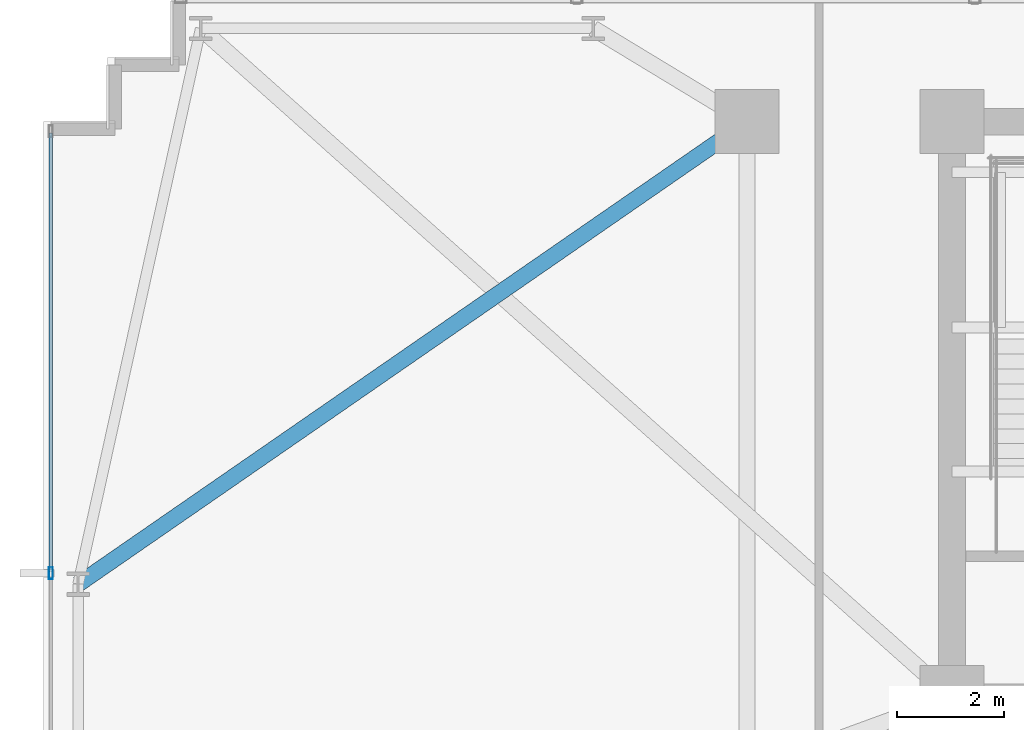
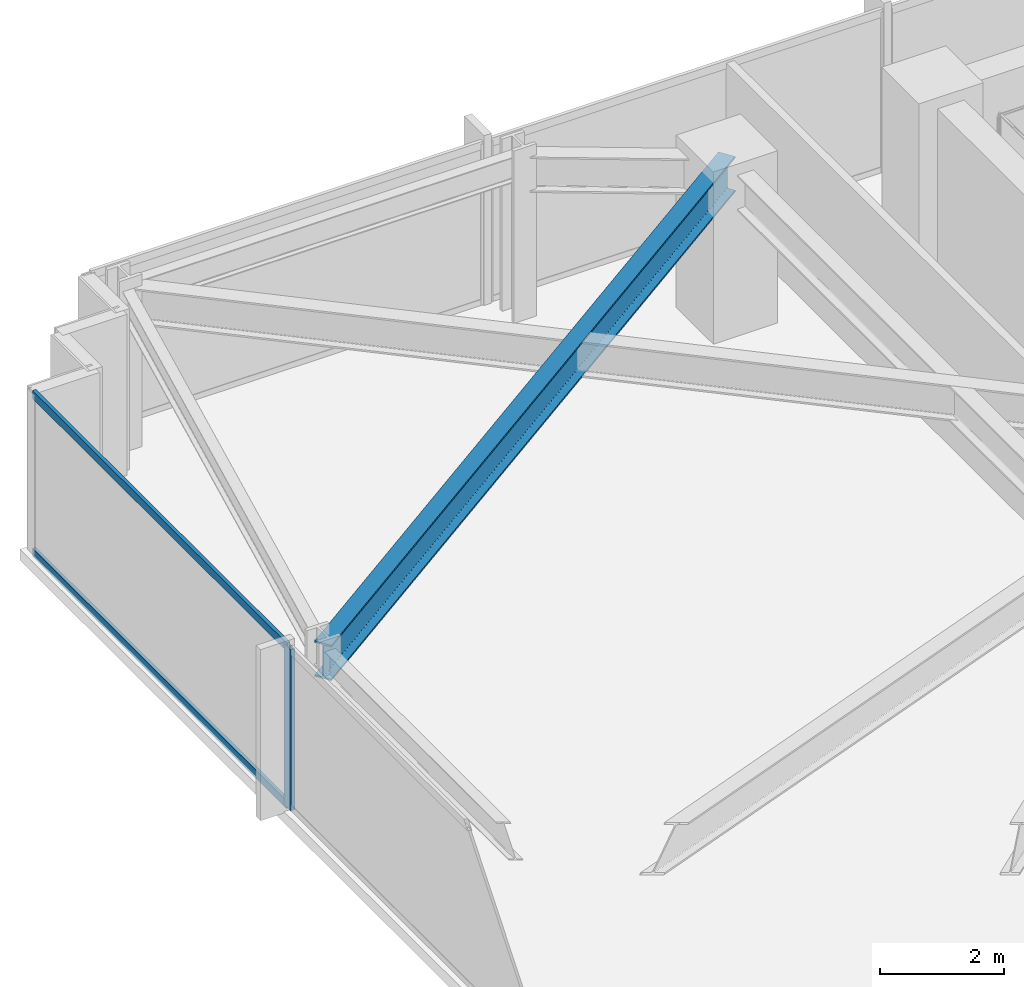
# One storey, part 9 of 33: 3 members, 1 beam, 1 element without a shape of its own.
"""IFC4 building model written with IfcOpenShell, lengths in metres."""

import ifcopenshell
import ifcopenshell.guid

model = None  # the IFC model being written
_history = None  # IfcOwnerHistory: only IFC2X3 demands one
_inside = {}  # id of a spatial element -> (the spatial element, [elements in it])
_under = {}  # id of a project, library or spatial element -> (it, [spatial elements below it])
_declared = {}  # id of a project -> (the project, [libraries it declares])
_typed = {}  # id of a type object -> (the type object, [elements of that type])
_made_of = {}  # id of a material, layer set ... -> (it, [elements and type objects made of it])


def new_model(schema):
    """Start an empty IFC model of exactly this schema.

    Asked for "IFC4X3", IfcOpenShell would pick the latest addendum, in which some entities
    have other attributes; the version numbers below select the first issue.
    IFC2X3 requires an IfcOwnerHistory on every rooted entity: one is made here for all.
    """
    global model, _history
    if schema == "IFC4X3":
        model = ifcopenshell.file(schema_version=(4, 3, 0, 0))
    else:
        model = ifcopenshell.file(schema=schema)
    _inside.clear()
    _under.clear()
    _declared.clear()
    _typed.clear()
    _made_of.clear()
    _history = None
    if model.schema == "IFC2X3":
        org = make("IfcOrganization", Name="unknown")
        user = make(
            "IfcPersonAndOrganization",
            ThePerson=make("IfcPerson", FamilyName="unknown"),
            TheOrganization=org,
        )
        app = make(
            "IfcApplication",
            ApplicationDeveloper=org,
            Version="unknown",
            ApplicationFullName="unknown",
            ApplicationIdentifier="unknown",
        )
        _history = make(
            "IfcOwnerHistory",
            OwningUser=user,
            OwningApplication=app,
            ChangeAction="ADDED",
            CreationDate=0,
        )
    return model


def make(cls, **values):
    """One entity of the class cls with the attributes given. An attribute that is None is left unset."""
    return model.create_entity(
        cls, **{name: value for name, value in values.items() if value is not None}
    )


def rooted(cls, **values):
    """An entity with a GlobalId (a new one), such as an element, a storey or a relation."""
    return make(cls, GlobalId=ifcopenshell.guid.new(), OwnerHistory=_history, **values)


def si_unit(unit_type, name, prefix=None):
    """IfcSIUnit, for example si_unit("LENGTHUNIT", "METRE", prefix="MILLI")."""
    return make("IfcSIUnit", UnitType=unit_type, Prefix=prefix, Name=name)


def assignment(units):
    """IfcUnitAssignment: the units of a project."""
    return None if units is None else make("IfcUnitAssignment", Units=units)


def point(xyz):
    """IfcCartesianPoint."""
    return None if xyz is None else make("IfcCartesianPoint", Coordinates=xyz)


def direction(xyz):
    """IfcDirection."""
    return None if xyz is None else make("IfcDirection", DirectionRatios=xyz)


def frame(location, z_axis=None, x_axis=None):
    """IfcAxis2Placement3D, a coordinate frame: its origin and axes. An axis left out is left unset."""
    return make(
        "IfcAxis2Placement3D",
        Location=point(location),
        Axis=direction(z_axis),
        RefDirection=direction(x_axis),
    )


def frame_2d(location, x_axis=None):
    """IfcAxis2Placement2D, a coordinate frame in the plane: its origin and x axis."""
    return make(
        "IfcAxis2Placement2D", Location=point(location), RefDirection=direction(x_axis)
    )


def origin():
    """The frame at (0, 0, 0) with its axes left unset."""
    return frame((0.0, 0.0, 0.0))


def origin_2d():
    """The frame at (0, 0) in the plane with its x axis left unset."""
    return frame_2d((0.0, 0.0))


def place(relative_to, where):
    """IfcLocalPlacement: puts the frame where relative to a parent placement (None: the world)."""
    return make(
        "IfcLocalPlacement", PlacementRelTo=relative_to, RelativePlacement=where
    )


def context(
    kind, dimensions, precision=None, world=None, true_north=None, identifier=None
):
    """IfcGeometricRepresentationContext, for example the 3D "Model" context."""
    return make(
        "IfcGeometricRepresentationContext",
        ContextIdentifier=identifier,
        ContextType=kind,
        CoordinateSpaceDimension=dimensions,
        Precision=precision,
        WorldCoordinateSystem=world,
        TrueNorth=true_north,
    )


def subcontext(parent, identifier, kind, view, scale=None):
    """IfcGeometricRepresentationSubContext, for example "Body" below "Model"."""
    return make(
        "IfcGeometricRepresentationSubContext",
        ContextIdentifier=identifier,
        ContextType=kind,
        ParentContext=parent,
        TargetScale=scale,
        TargetView=view,
    )


def project(units=None, contexts=None):
    """IfcProject with its units and contexts."""
    return rooted(
        "IfcProject",
        Name="project",
        RepresentationContexts=contexts,
        UnitsInContext=assignment(units),
    )


def spatial(cls, under=None, at=None, **own):
    """A site, building, storey or space (cls), placed at a placement, below another one or the project."""
    s = rooted(cls, ObjectPlacement=at, **own)
    if under is not None:
        _under.setdefault(under.id(), (under, []))[1].append(s)
    return s


def profile(cls, at=None, kind="AREA", **sizes):
    """A parametric profile (cls). Its sizes go by their IFC names, for example OverallWidth=200.0."""
    return make(cls, ProfileType=kind, Position=at, **sizes)


def hollow_rectangle(**sizes):
    """IfcRectangleHollowProfileDef."""
    return profile("IfcRectangleHollowProfileDef", **sizes)


def i_section(**sizes):
    """IfcIShapeProfileDef."""
    return profile("IfcIShapeProfileDef", **sizes)


def extrude(swept, where, along, depth):
    """IfcExtrudedAreaSolid: the profile swept, set in the frame where, extruded along a direction by depth."""
    return make(
        "IfcExtrudedAreaSolid",
        SweptArea=swept,
        Position=where,
        ExtrudedDirection=direction(along),
        Depth=depth,
    )


def shape(context_of_items, identifier, shape_type, items):
    """IfcShapeRepresentation: the items that make up one representation, for example the "Body"."""
    return make(
        "IfcShapeRepresentation",
        ContextOfItems=context_of_items,
        RepresentationIdentifier=identifier,
        RepresentationType=shape_type,
        Items=items,
    )


def material(Name=None, Category=None):
    """IfcMaterial."""
    return make("IfcMaterial", Name=Name, Category=Category)


def material_profile(
    of_material, cross_section, Name=None, Category=None, Priority=None
):
    """IfcMaterialProfile: a cross section and its material."""
    return make(
        "IfcMaterialProfile",
        Name=Name,
        Material=of_material,
        Profile=cross_section,
        Priority=Priority,
        Category=Category,
    )


def profile_set(profiles, Name=None, composite=None):
    """IfcMaterialProfileSet."""
    return make(
        "IfcMaterialProfileSet",
        Name=Name,
        MaterialProfiles=profiles,
        CompositeProfile=composite,
    )


def made_of(thing, what):
    """Note that an element or type object is made of a material, layer set ...; save() writes the relation."""
    if what is not None:
        _made_of.setdefault(what.id(), (what, []))[1].append(thing)
    return thing


def type_object(cls, material=None, **own):
    """A type object (cls), such as IfcWallType, which elements share."""
    return made_of(rooted(cls, **own), material)


def element(
    cls,
    number,
    at=None,
    inside=None,
    cuts=None,
    type_object=None,
    material=None,
    context=None,
    identifier="Body",
    shape_type=None,
    held_by="IfcProductDefinitionShape",
    body=None,
    shapes=None,
    **own,
):
    """One element of the class cls, such as IfcWall. Its Tag is "e" and its number.

    at: its placement. inside: the storey or other place that contains it. cuts: it is an
    opening in that element (IfcRelVoidsElement). A single representation is given by context,
    identifier, shape_type and body (its items); several are given by shapes. held_by: the class
    of the entity that holds the representations. save() writes the other relations.
    """
    e = rooted(cls, Tag="e%d" % number, ObjectPlacement=at, **own)
    if body is not None:
        shapes = [shape(context, identifier, shape_type, body)]
    if shapes is not None:
        e.Representation = make(held_by, Representations=shapes)
    if inside is not None:
        _inside.setdefault(inside.id(), (inside, []))[1].append(e)
    if cuts is not None:
        rooted(
            "IfcRelVoidsElement", RelatingBuildingElement=cuts, RelatedOpeningElement=e
        )
    if type_object is not None:
        _typed.setdefault(type_object.id(), (type_object, []))[1].append(e)
    return made_of(e, material)


def aggregate(whole, parts):
    """IfcRelAggregates: a whole, such as a stair, and the parts it consists of."""
    return rooted("IfcRelAggregates", RelatingObject=whole, RelatedObjects=parts)


def save(model, path):
    """Write the relations noted so far, then the file.

    IfcRelAggregates (storeys below a building ...), IfcRelContainedInSpatialStructure (elements
    in a storey), IfcRelDefinesByType, IfcRelAssociatesMaterial and IfcRelDeclares: one each for
    every whole, place, type object, material and project.
    """
    for whole, parts in _under.values():
        aggregate(whole, parts)
    for where, things in _inside.values():
        rooted(
            "IfcRelContainedInSpatialStructure",
            RelatedElements=things,
            RelatingStructure=where,
        )
    for kind, things in _typed.values():
        rooted("IfcRelDefinesByType", RelatedObjects=things, RelatingType=kind)
    for what, things in _made_of.values():
        rooted("IfcRelAssociatesMaterial", RelatedObjects=things, RelatingMaterial=what)
    for by, libraries in _declared.values():
        rooted("IfcRelDeclares", RelatingContext=by, RelatedDefinitions=libraries)
    model.write(path)


model = new_model("IFC4")

# Units and contexts
model_context = context("Model", 3, precision=1e-05, world=origin(), true_north=direction((0.0, 1.0)))
body_context = subcontext(model_context, "Body", "Model", "MODEL_VIEW")
ifc_project = project(units=[si_unit("LENGTHUNIT", "METRE"), si_unit("AREAUNIT", "SQUARE_METRE"), si_unit("VOLUMEUNIT", "CUBIC_METRE"), si_unit("PLANEANGLEUNIT", "RADIAN"), si_unit("MASSUNIT", "GRAM", prefix="KILO")], contexts=[model_context])

# Site, building, storey
site_placement = place(None, origin())
site = spatial("IfcSite", under=ifc_project, at=site_placement, CompositionType="ELEMENT")
building_placement = place(site_placement, origin())
building = spatial("IfcBuilding", under=site, at=building_placement, Name="Yelkora Congress Tower", CompositionType="ELEMENT")
storey_placement = place(building_placement, frame((0.0, 0.0, 47.39990234375)))
storey = spatial("IfcBuildingStorey", under=building, at=storey_placement, Name="L11", CompositionType="ELEMENT", Elevation=47.39990234375)

# Beam
ifc_material_1 = material(Name="Steel S355J2", Category="steel")
ifc_material_profile_1 = material_profile(ifc_material_1, i_section(OverallWidth=0.300048828125, OverallDepth=0.699951171875, WebThickness=0.01708984375, FlangeThickness=0.031982421875, FilletRadius=0.027099609375, at=origin_2d()), Name="HEB 700")
ifc_profile_set_1 = profile_set([ifc_material_profile_1], Name="Steel S355J2")
beam_type = type_object("IfcBeamType", Name="BM-GIRD-HEB700", PredefinedType="BEAM", material=ifc_profile_set_1)
beam_placement = place(storey_placement, frame((6.64990234375, 37.52490234375, 2.830078125), z_axis=(0.822604454175, 0.568614027238, 0.0), x_axis=(-0.568614027238, 0.822604454175, 0.0)))
element("IfcBeam", 1, at=beam_placement, inside=storey, type_object=beam_type, Name="L11 Primary Frame Girder W03", PredefinedType="BEAM", context=body_context, shape_type="SweptSolid", body=[
    extrude(i_section(OverallWidth=0.300048828125, OverallDepth=0.699951171875, WebThickness=0.01708984375, FlangeThickness=0.031982421875, FilletRadius=0.027099609375, at=origin_2d()), origin(), (0.0, 0.0, 1.0), 15.256591796875),
])

# Curtain wall, members
ifc_material_2 = material(Name="Anodised aluminium and insulated glass", Category="aluminium")
curtain_wall_type = type_object("IfcCurtainWallType", Name="CW-SYS-B1", PredefinedType="NOTDEFINED", material=ifc_material_2)
curtain_wall_placement = place(storey_placement, origin())
curtain_wall = element("IfcCurtainWall", 2, at=curtain_wall_placement, inside=storey, type_object=curtain_wall_type, Name="L11 Unitised Curtain Wall 5", PredefinedType="NOTDEFINED")
ifc_material_3 = material(Name="Anodised aluminium 6063-T6", Category="aluminium")
ifc_material_profile_2 = material_profile(ifc_material_3, hollow_rectangle(XDim=0.074951171875, YDim=0.219970703125, WallThickness=0.0048828125, at=origin_2d()), Name="ALU 75x220x5")
ifc_profile_set_2 = profile_set([ifc_material_profile_2], Name="Anodised aluminium 6063-T6")
member_type_1 = type_object("IfcMemberType", Name="MEM-ML-B1", PredefinedType="MULLION", material=ifc_profile_set_2)
member_1_placement = place(storey_placement, frame((6.139892578125, 37.72998046875, 0.0), z_axis=(0.0, 0.0, 1.0), x_axis=(-1.0, 0.0, 0.0)))
member_1 = element("IfcMember", 3, at=member_1_placement, type_object=member_type_1, Name="CW-B1 mullion 4", PredefinedType="MULLION", context=body_context, shape_type="SweptSolid", body=[
    extrude(hollow_rectangle(XDim=0.074951171875, YDim=0.219970703125, WallThickness=0.0048828125, at=origin_2d()), origin(), (0.0, 0.0, 1.0), 3.18017578125),
])
ifc_material_profile_3 = material_profile(ifc_material_3, hollow_rectangle(XDim=0.06494140625, YDim=0.159912109375, WallThickness=0.00390625, at=origin_2d()), Name="ALU 65x160x4")
ifc_profile_set_3 = profile_set([ifc_material_profile_3], Name="Anodised aluminium 6063-T6")
member_type_2 = type_object("IfcMemberType", Name="MEM-TR-B1", PredefinedType="USERDEFINED", material=ifc_profile_set_3)
member_2_placement = place(storey_placement, frame((6.139892578125, 37.767578125, 0.03271484375), z_axis=(0.0, 1.0, 0.0), x_axis=(-1.0, 0.0, 0.0)))
member_2 = element("IfcMember", 4, at=member_2_placement, type_object=member_type_2, Name="CW-B1 transom 4.1", ObjectType="TRANSOM", PredefinedType="USERDEFINED", context=body_context, shape_type="SweptSolid", body=[
    extrude(hollow_rectangle(XDim=0.06494140625, YDim=0.159912109375, WallThickness=0.00390625, at=origin_2d()), origin(), (0.0, 0.0, 1.0), 8.217529296875),
])
member_3_placement = place(storey_placement, frame((6.139892578125, 37.767578125, 3.147705078125), z_axis=(0.0, 1.0, 0.0), x_axis=(-1.0, 0.0, 0.0)))
member_3 = element("IfcMember", 5, at=member_3_placement, type_object=member_type_2, Name="CW-B1 transom 4.2", ObjectType="TRANSOM", PredefinedType="USERDEFINED", context=body_context, shape_type="SweptSolid", body=[
    extrude(hollow_rectangle(XDim=0.06494140625, YDim=0.159912109375, WallThickness=0.00390625, at=origin_2d()), origin(), (0.0, 0.0, 1.0), 8.217529296875),
])
aggregate(curtain_wall, [member_1, member_2, member_3])

save(model, "model.ifc")
